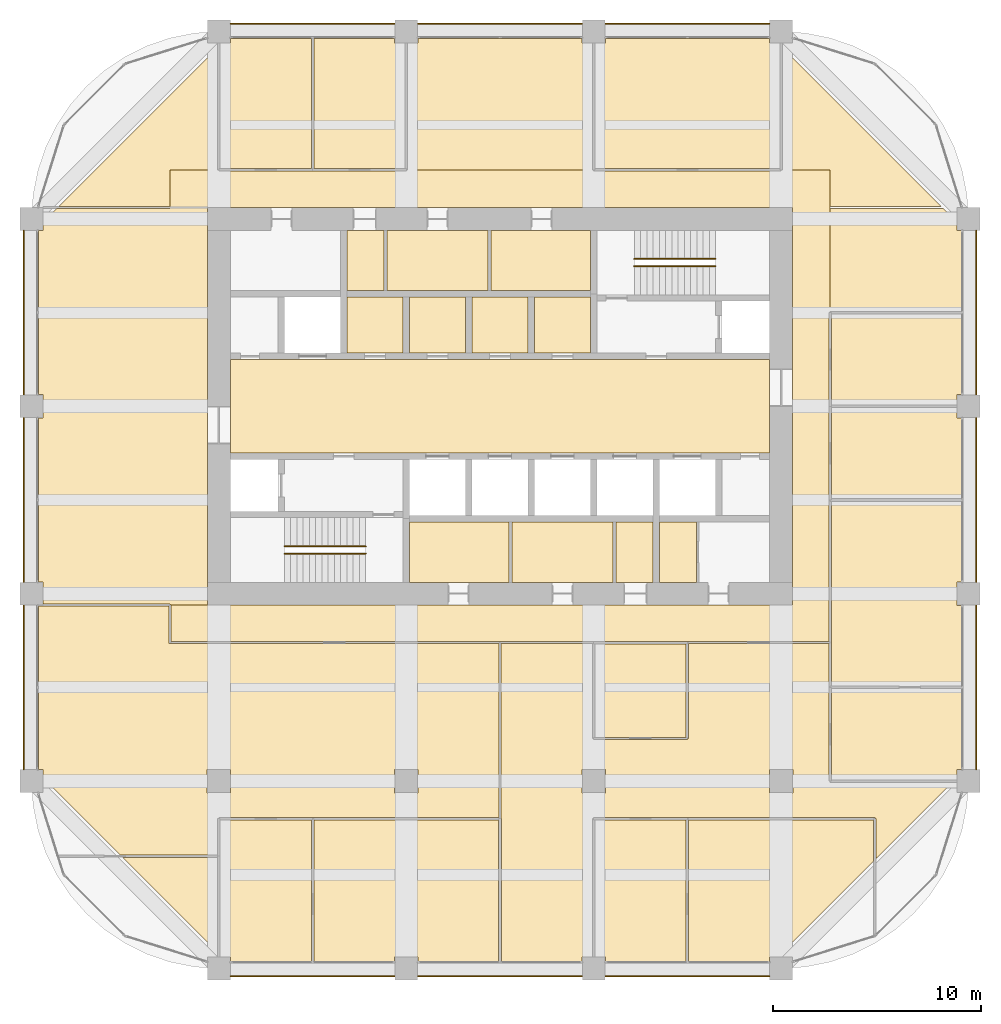
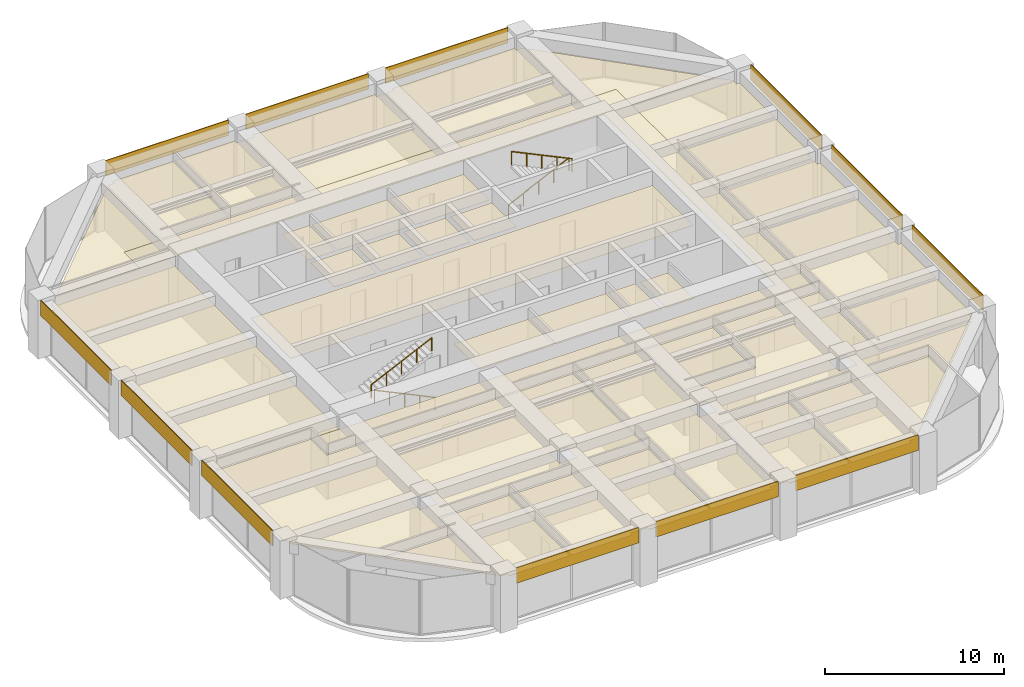
# One storey, part 44 of 44: 45 coverings, 4 railings.
"""IFC4 building model written with IfcOpenShell, lengths in metres."""

from ifc_helpers import new_model, si_unit, direction, frame, frame_2d, origin, origin_2d, place, context, subcontext, project, spatial, polyline, rectangle, circle, outline, extrude, material, layer, layer_set, type_object, element, save


model = new_model("IFC4")

# Units and contexts
model_context = context("Model", 3, precision=1e-05, world=origin(), true_north=direction((0.0, 1.0)))
body_context = subcontext(model_context, "Body", "Model", "MODEL_VIEW")
ifc_project = project(units=[si_unit("LENGTHUNIT", "METRE"), si_unit("AREAUNIT", "SQUARE_METRE"), si_unit("VOLUMEUNIT", "CUBIC_METRE"), si_unit("PLANEANGLEUNIT", "RADIAN"), si_unit("MASSUNIT", "GRAM", prefix="KILO")], contexts=[model_context])

# Site, building, storey
site_placement = place(None, origin())
site = spatial("IfcSite", under=ifc_project, at=site_placement, CompositionType="ELEMENT")
building_placement = place(site_placement, origin())
building = spatial("IfcBuilding", under=site, at=building_placement, Name="Zorevar Civic Tower", CompositionType="ELEMENT")
storey_placement = place(building_placement, frame((0.0, 0.0, 299.39990234375)))
storey = spatial("IfcBuildingStorey", under=building, at=storey_placement, Name="L73", CompositionType="ELEMENT", Elevation=299.39990234375)

# Railings
ifc_material_1 = material(Name="Black steel handrail", Category="steel")
railing_type = type_object("IfcRailingType", Name="Handrail HR1 900", PredefinedType="HANDRAIL", material=ifc_material_1)
railing_1_placement = place(storey_placement, frame((25.050048828125, 19.925048828125, 0.14306640625)))
element("IfcRailing", 1, at=railing_1_placement, inside=storey, type_object=railing_type, Name="Handrail HR1 ST1 L73", PredefinedType="HANDRAIL", context=body_context, shape_type="SweptSolid", body=[
    extrude(circle(Radius=0.02392578125, at=origin_2d()), frame((0.0, 0.0, 0.8759765625), z_axis=(-0.902885590262, 0.0, 0.429880926418), x_axis=(0.0, -1.0, 0.0)), (0.0, 0.0, 1.0), 4.319580078125),
    extrude(circle(Radius=0.02099609375, at=origin_2d()), origin(), (0.0, 0.0, 1.0), 0.851806640625),
    extrude(circle(Radius=0.02099609375, at=origin_2d()), frame((-0.97509765625, 0.0, 0.46435546875)), (0.0, 0.0, 1.0), 0.851806640625),
    extrude(circle(Radius=0.02099609375, at=origin_2d()), frame((-1.9501953125, 0.0, 0.928466796875)), (0.0, 0.0, 1.0), 0.851806640625),
    extrude(circle(Radius=0.02099609375, at=origin_2d()), frame((-2.925048828125, 0.0, 1.392578125)), (0.0, 0.0, 1.0), 0.851806640625),
    extrude(circle(Radius=0.02099609375, at=origin_2d()), frame((-3.900146484375, 0.0, 1.85693359375)), (0.0, 0.0, 1.0), 0.851806640625),
])
for number, where, name in (
    (2, (21.14990234375, 20.27490234375, 2.14306640625), "Handrail HR1 ST1 L73"),
    (3, (37.949951171875, 34.074951171875, 0.14306640625), "Handrail HR1 ST2 L73"),
):
    element("IfcRailing", number, at=place(storey_placement, frame(where)), inside=storey, type_object=railing_type, Name=name, PredefinedType="HANDRAIL", context=body_context, shape_type="SweptSolid", body=[
        extrude(circle(Radius=0.02392578125, at=origin_2d()), frame((0.0, 0.0, 0.8759765625), z_axis=(0.902885590262, 0.0, 0.429880926418), x_axis=(0.0, 1.0, 0.0)), (0.0, 0.0, 1.0), 4.319580078125),
        extrude(circle(Radius=0.02099609375, at=origin_2d()), origin(), (0.0, 0.0, 1.0), 0.851806640625),
        extrude(circle(Radius=0.02099609375, at=origin_2d()), frame((0.97509765625, 0.0, 0.46435546875)), (0.0, 0.0, 1.0), 0.851806640625),
        extrude(circle(Radius=0.02099609375, at=origin_2d()), frame((1.9501953125, 0.0, 0.928466796875)), (0.0, 0.0, 1.0), 0.851806640625),
        extrude(circle(Radius=0.02099609375, at=origin_2d()), frame((2.925048828125, 0.0, 1.392578125)), (0.0, 0.0, 1.0), 0.851806640625),
        extrude(circle(Radius=0.02099609375, at=origin_2d()), frame((3.900146484375, 0.0, 1.85693359375)), (0.0, 0.0, 1.0), 0.851806640625),
    ])
railing_2_placement = place(storey_placement, frame((41.85009765625, 33.72509765625, 2.14306640625)))
element("IfcRailing", 4, at=railing_2_placement, inside=storey, type_object=railing_type, Name="Handrail HR1 ST2 L73", PredefinedType="HANDRAIL", context=body_context, shape_type="SweptSolid", body=[
    extrude(circle(Radius=0.02392578125, at=origin_2d()), frame((0.0, 0.0, 0.8759765625), z_axis=(-0.902885590262, 0.0, 0.429880926418), x_axis=(0.0, -1.0, 0.0)), (0.0, 0.0, 1.0), 4.319580078125),
    extrude(circle(Radius=0.02099609375, at=origin_2d()), origin(), (0.0, 0.0, 1.0), 0.851806640625),
    extrude(circle(Radius=0.02099609375, at=origin_2d()), frame((-0.97509765625, 0.0, 0.46435546875)), (0.0, 0.0, 1.0), 0.851806640625),
    extrude(circle(Radius=0.02099609375, at=origin_2d()), frame((-1.9501953125, 0.0, 0.928466796875)), (0.0, 0.0, 1.0), 0.851806640625),
    extrude(circle(Radius=0.02099609375, at=origin_2d()), frame((-2.925048828125, 0.0, 1.392578125)), (0.0, 0.0, 1.0), 0.851806640625),
    extrude(circle(Radius=0.02099609375, at=origin_2d()), frame((-3.900146484375, 0.0, 1.85693359375)), (0.0, 0.0, 1.0), 0.851806640625),
])

# Coverings
ifc_material_2 = material(Name="Moisture-resistant gypsum board")
ifc_layer_1 = layer(ifc_material_2, 0.012451171875)
ifc_layer_set_1 = layer_set([ifc_layer_1], Name="Moisture-resistant ceiling SC3")
covering_type_1 = type_object("IfcCoveringType", Name="Moisture-resistant ceiling SC3", PredefinedType="CEILING", material=ifc_layer_set_1)
covering_1_placement = place(storey_placement, frame((0.0, 0.0, 3.0)))
element("IfcCovering", 5, at=covering_1_placement, inside=storey, type_object=covering_type_1, Name="Ceiling L73-05", PredefinedType="CEILING", context=body_context, shape_type="SweptSolid", body=[
    extrude(outline(polyline([(31.925048828125, 18.550048828125), (31.925048828125, 21.449951171875), (27.14990234375, 21.449951171875), (27.14990234375, 18.550048828125), (31.925048828125, 18.550048828125)])), origin(), (0.0, 0.0, 1.0), 0.0126953125),
])
covering_2_placement = place(storey_placement, frame((0.0, 0.0, 3.0)))
element("IfcCovering", 6, at=covering_2_placement, inside=storey, type_object=covering_type_1, Name="Ceiling L73-06", PredefinedType="CEILING", context=body_context, shape_type="SweptSolid", body=[
    extrude(outline(polyline([(36.925048828125, 18.550048828125), (36.925048828125, 21.449951171875), (32.074951171875, 21.449951171875), (32.074951171875, 18.550048828125), (36.925048828125, 18.550048828125)])), origin(), (0.0, 0.0, 1.0), 0.0126953125),
])
covering_3_placement = place(storey_placement, frame((0.0, 0.0, 3.0)))
element("IfcCovering", 7, at=covering_3_placement, inside=storey, type_object=covering_type_1, Name="Ceiling L73-07", PredefinedType="CEILING", context=body_context, shape_type="SweptSolid", body=[
    extrude(outline(polyline([(38.85009765625, 18.550048828125), (38.85009765625, 21.449951171875), (37.074951171875, 21.449951171875), (37.074951171875, 18.550048828125), (38.85009765625, 18.550048828125)])), origin(), (0.0, 0.0, 1.0), 0.0126953125),
])
covering_4_placement = place(storey_placement, frame((0.0, 0.0, 3.0)))
element("IfcCovering", 8, at=covering_4_placement, inside=storey, type_object=covering_type_1, Name="Ceiling L73-08", PredefinedType="CEILING", context=body_context, shape_type="SweptSolid", body=[
    extrude(outline(polyline([(35.85009765625, 32.550048828125), (35.85009765625, 35.449951171875), (31.074951171875, 35.449951171875), (31.074951171875, 32.550048828125), (35.85009765625, 32.550048828125)])), origin(), (0.0, 0.0, 1.0), 0.0126953125),
])
covering_5_placement = place(storey_placement, frame((0.0, 0.0, 3.0)))
element("IfcCovering", 9, at=covering_5_placement, inside=storey, type_object=covering_type_1, Name="Ceiling L73-09", PredefinedType="CEILING", context=body_context, shape_type="SweptSolid", body=[
    extrude(outline(polyline([(30.925048828125, 32.550048828125), (30.925048828125, 35.449951171875), (26.074951171875, 35.449951171875), (26.074951171875, 32.550048828125), (30.925048828125, 32.550048828125)])), origin(), (0.0, 0.0, 1.0), 0.0126953125),
])
covering_6_placement = place(storey_placement, frame((0.0, 0.0, 3.0)))
element("IfcCovering", 10, at=covering_6_placement, inside=storey, type_object=covering_type_1, Name="Ceiling L73-10", PredefinedType="CEILING", context=body_context, shape_type="SweptSolid", body=[
    extrude(outline(polyline([(25.925048828125, 32.550048828125), (25.925048828125, 35.449951171875), (24.14990234375, 35.449951171875), (24.14990234375, 32.550048828125), (25.925048828125, 32.550048828125)])), origin(), (0.0, 0.0, 1.0), 0.0126953125),
])
ifc_material_3 = material(Name="Black anodised aluminium spandrel panel", Category="aluminium")
ifc_layer_2 = layer(ifc_material_3, 0.050048828125)
ifc_layer_set_2 = layer_set([ifc_layer_2], Name="Spandrel cladding SP1")
covering_type_2 = type_object("IfcCoveringType", Name="Spandrel cladding SP1", PredefinedType="CLADDING", material=ifc_layer_set_2)
for number, where, z_axis, x_axis, name in (
    (11, (18.550048828125, -0.375, 2.9501953125), (0.0, 0.0, 1.0), (1.0, 0.0, 0.0), "Spandrel cladding L74"),
    (12, (27.550048828125, -0.375, 2.9501953125), (0.0, 0.0, 1.0), (1.0, 0.0, 0.0), "Spandrel cladding L74"),
    (13, (36.550048828125, -0.375, 2.9501953125), (0.0, 0.0, 1.0), (1.0, 0.0, 0.0), "Spandrel cladding L74"),
    (14, (18.550048828125, 45.375, 2.9501953125), (0.0, 0.0, 1.0), (1.0, 0.0, 0.0), "Spandrel cladding L74"),
    (15, (27.550048828125, 45.375, 2.9501953125), (0.0, 0.0, 1.0), (1.0, 0.0, 0.0), "Spandrel cladding L74"),
    (16, (36.550048828125, 45.375, 2.9501953125), (0.0, 0.0, 1.0), (1.0, 0.0, 0.0), "Spandrel cladding L74"),
    (17, (8.625, 9.550048828125, 2.9501953125), (0.0, 0.0, 1.0), (0.0, 1.0, 0.0), "Spandrel cladding L74"),
    (18, (8.625, 18.550048828125, 2.9501953125), (0.0, 0.0, 1.0), (0.0, 1.0, 0.0), "Spandrel cladding L74"),
    (19, (8.625, 27.550048828125, 2.9501953125), (0.0, 0.0, 1.0), (0.0, 1.0, 0.0), "Spandrel cladding L74"),
    (20, (54.375, 9.550048828125, 2.9501953125), (0.0, 0.0, 1.0), (0.0, 1.0, 0.0), "Spandrel cladding L74"),
    (21, (54.375, 18.550048828125, 2.9501953125), (0.0, 0.0, 1.0), (0.0, 1.0, 0.0), "Spandrel cladding L74"),
    (22, (54.375, 27.550048828125, 2.9501953125), (0.0, 0.0, 1.0), (0.0, 1.0, 0.0), "Spandrel cladding L74"),
):
    element("IfcCovering", number, at=place(storey_placement, frame(where, z_axis=z_axis, x_axis=x_axis)), inside=storey, type_object=covering_type_2, Name=name, PredefinedType="CLADDING", context=body_context, shape_type="SweptSolid", body=[
        extrude(rectangle(XDim=7.89990234375, YDim=0.050048828125, at=frame_2d((3.949951171875, 0.0))), origin(), (0.0, 0.0, 1.0), 1.0498046875),
    ])
ifc_material_4 = material(Name="Mineral fibre tiles on a concealed grid")
ifc_layer_3 = layer(ifc_material_4, 0.02001953125)
ifc_layer_set_3 = layer_set([ifc_layer_3], Name="Suspended ceiling SC1")
covering_type_3 = type_object("IfcCoveringType", Name="Suspended ceiling SC1", PredefinedType="CEILING", material=ifc_layer_set_3)
covering_7_placement = place(storey_placement, frame((0.0, 0.0, 3.0)))
element("IfcCovering", 23, at=covering_7_placement, inside=storey, type_object=covering_type_3, Name="Ceiling L73-11", PredefinedType="CEILING", context=body_context, shape_type="SweptSolid", body=[
    extrude(outline(polyline([(40.93994140625, 18.550048828125), (40.93994140625, 21.449951171875), (39.14990234375, 21.449951171875), (39.14990234375, 18.550048828125), (40.93994140625, 18.550048828125)])), origin(), (0.0, 0.0, 1.0), 0.02001953125),
])
covering_8_placement = place(storey_placement, frame((0.0, 0.0, 3.0)))
element("IfcCovering", 24, at=covering_8_placement, inside=storey, type_object=covering_type_3, Name="Ceiling L73-16", PredefinedType="CEILING", context=body_context, shape_type="SweptSolid", body=[
    extrude(outline(polyline([(44.449951171875, 24.75), (44.449951171875, 29.25), (18.550048828125, 29.25), (18.550048828125, 24.75), (44.449951171875, 24.75)])), origin(), (0.0, 0.0, 1.0), 0.02001953125),
])
covering_9_placement = place(storey_placement, frame((0.0, 0.0, 3.0)))
element("IfcCovering", 25, at=covering_9_placement, inside=storey, type_object=covering_type_3, Name="Ceiling L73-17", PredefinedType="CEILING", context=body_context, shape_type="SweptSolid", body=[
    extrude(outline(polyline([(35.85009765625, 29.550048828125), (35.85009765625, 32.25), (33.14990234375, 32.25), (33.14990234375, 29.550048828125), (35.85009765625, 29.550048828125)])), origin(), (0.0, 0.0, 1.0), 0.02001953125),
])
covering_10_placement = place(storey_placement, frame((0.0, 0.0, 3.0)))
element("IfcCovering", 26, at=covering_10_placement, inside=storey, type_object=covering_type_3, Name="Ceiling L73-18", PredefinedType="CEILING", context=body_context, shape_type="SweptSolid", body=[
    extrude(outline(polyline([(32.85009765625, 29.550048828125), (32.85009765625, 32.25), (30.14990234375, 32.25), (30.14990234375, 29.550048828125), (32.85009765625, 29.550048828125)])), origin(), (0.0, 0.0, 1.0), 0.02001953125),
])
covering_11_placement = place(storey_placement, frame((0.0, 0.0, 3.0)))
element("IfcCovering", 27, at=covering_11_placement, inside=storey, type_object=covering_type_3, Name="Ceiling L73-19", PredefinedType="CEILING", context=body_context, shape_type="SweptSolid", body=[
    extrude(outline(polyline([(29.85009765625, 29.550048828125), (29.85009765625, 32.25), (27.14990234375, 32.25), (27.14990234375, 29.550048828125), (29.85009765625, 29.550048828125)])), origin(), (0.0, 0.0, 1.0), 0.02001953125),
])
covering_12_placement = place(storey_placement, frame((0.0, 0.0, 3.0)))
element("IfcCovering", 28, at=covering_12_placement, inside=storey, type_object=covering_type_3, Name="Ceiling L73-20", PredefinedType="CEILING", context=body_context, shape_type="SweptSolid", body=[
    extrude(outline(polyline([(26.85009765625, 29.550048828125), (26.85009765625, 32.25), (24.14990234375, 32.25), (24.14990234375, 29.550048828125), (26.85009765625, 29.550048828125)])), origin(), (0.0, 0.0, 1.0), 0.02001953125),
])
covering_13_placement = place(storey_placement, frame((0.0, 0.0, 3.0)))
element("IfcCovering", 29, at=covering_13_placement, inside=storey, type_object=covering_type_3, Name="Ceiling L73-21", PredefinedType="CEILING", context=body_context, shape_type="SweptSolid", body=[
    extrude(outline(polyline([(22.43994140625, 7.139892578125), (22.43994140625, 0.35009765625), (18.56005859375, 0.35009765625), (18.56005859375, 0.56005859375), (18.147216796875, 0.56005859375), (18.06005859375, 0.647216796875), (18.06005859375, 7.139892578125), (22.43994140625, 7.139892578125)])), origin(), (0.0, 0.0, 1.0), 0.02001953125),
])
covering_14_placement = place(storey_placement, frame((0.0, 0.0, 3.0)))
element("IfcCovering", 30, at=covering_14_placement, inside=storey, type_object=covering_type_3, Name="Ceiling L73-22", PredefinedType="CEILING", context=body_context, shape_type="SweptSolid", body=[
    extrude(outline(polyline([(31.43994140625, 7.139892578125), (31.43994140625, 0.35009765625), (27.56005859375, 0.35009765625), (27.56005859375, 0.56005859375), (26.43994140625, 0.56005859375), (26.43994140625, 0.35009765625), (22.56005859375, 0.35009765625), (22.56005859375, 7.139892578125), (31.43994140625, 7.139892578125)])), origin(), (0.0, 0.0, 1.0), 0.02001953125),
])
covering_15_placement = place(storey_placement, frame((0.0, 0.0, 3.0)))
element("IfcCovering", 31, at=covering_15_placement, inside=storey, type_object=covering_type_3, Name="Ceiling L73-23", PredefinedType="CEILING", context=body_context, shape_type="SweptSolid", body=[
    extrude(outline(polyline([(40.43994140625, 7.139892578125), (40.43994140625, 0.35009765625), (36.56005859375, 0.35009765625), (36.56005859375, 0.56005859375), (36.06005859375, 0.56005859375), (36.06005859375, 7.139892578125), (40.43994140625, 7.139892578125)])), origin(), (0.0, 0.0, 1.0), 0.02001953125),
])
covering_16_placement = place(storey_placement, frame((0.0, 0.0, 3.0)))
element("IfcCovering", 32, at=covering_16_placement, inside=storey, type_object=covering_type_3, Name="Ceiling L73-24", PredefinedType="CEILING", context=body_context, shape_type="SweptSolid", body=[
    extrude(outline(polyline([(44.43994140625, 0.56005859375), (44.43994140625, 0.35009765625), (40.56005859375, 0.35009765625), (40.56005859375, 7.139892578125), (49.43994140625, 7.139892578125), (49.43994140625, 5.147216796875), (44.852783203125, 0.56005859375), (44.43994140625, 0.56005859375)])), origin(), (0.0, 0.0, 1.0), 0.02001953125),
])
covering_17_placement = place(storey_placement, frame((0.0, 0.0, 3.0)))
element("IfcCovering", 33, at=covering_17_placement, inside=storey, type_object=covering_type_3, Name="Ceiling L73-25", PredefinedType="CEILING", context=body_context, shape_type="SweptSolid", body=[
    extrude(outline(polyline([(53.64990234375, 13.43994140625), (53.64990234375, 9.56005859375), (53.43994140625, 9.56005859375), (53.43994140625, 9.147216796875), (53.352783203125, 9.06005859375), (47.409912109375, 9.06005859375), (47.409912109375, 13.43994140625), (53.64990234375, 13.43994140625)])), origin(), (0.0, 0.0, 1.0), 0.02001953125),
])
covering_18_placement = place(storey_placement, frame((0.0, 0.0, 3.0)))
element("IfcCovering", 34, at=covering_18_placement, inside=storey, type_object=covering_type_3, Name="Ceiling L73-26", PredefinedType="CEILING", context=body_context, shape_type="SweptSolid", body=[
    extrude(outline(polyline([(47.409912109375, 22.43994140625), (53.64990234375, 22.43994140625), (53.64990234375, 18.56005859375), (53.43994140625, 18.56005859375), (53.43994140625, 17.43994140625), (53.64990234375, 17.43994140625), (53.64990234375, 13.56005859375), (47.409912109375, 13.56005859375), (47.409912109375, 22.43994140625)])), origin(), (0.0, 0.0, 1.0), 0.02001953125),
])
covering_19_placement = place(storey_placement, frame((0.0, 0.0, 3.0)))
element("IfcCovering", 35, at=covering_19_placement, inside=storey, type_object=covering_type_3, Name="Ceiling L73-27", PredefinedType="CEILING", context=body_context, shape_type="SweptSolid", body=[
    extrude(outline(polyline([(47.409912109375, 26.93994140625), (53.43994140625, 26.93994140625), (53.43994140625, 26.43994140625), (53.64990234375, 26.43994140625), (53.64990234375, 22.56005859375), (47.409912109375, 22.56005859375), (47.409912109375, 26.93994140625)])), origin(), (0.0, 0.0, 1.0), 0.02001953125),
])
covering_20_placement = place(storey_placement, frame((0.0, 0.0, 3.0)))
element("IfcCovering", 36, at=covering_20_placement, inside=storey, type_object=covering_type_3, Name="Ceiling L73-28", PredefinedType="CEILING", context=body_context, shape_type="SweptSolid", body=[
    extrude(outline(polyline([(47.409912109375, 31.43994140625), (53.64990234375, 31.43994140625), (53.64990234375, 27.56005859375), (53.43994140625, 27.56005859375), (53.43994140625, 27.06005859375), (47.409912109375, 27.06005859375), (47.409912109375, 31.43994140625)])), origin(), (0.0, 0.0, 1.0), 0.02001953125),
])
covering_21_placement = place(storey_placement, frame((0.0, 0.0, 3.0)))
element("IfcCovering", 37, at=covering_21_placement, inside=storey, type_object=covering_type_3, Name="Ceiling L73-29", PredefinedType="CEILING", context=body_context, shape_type="SweptSolid", body=[
    extrude(outline(polyline([(36.06005859375, 11.10009765625), (36.06005859375, 15.590087890625), (40.43994140625, 15.590087890625), (40.43994140625, 11.10009765625), (36.06005859375, 11.10009765625)])), origin(), (0.0, 0.0, 1.0), 0.02001953125),
])
covering_22_placement = place(storey_placement, frame((0.0, 0.0, 3.0)))
element("IfcCovering", 38, at=covering_22_placement, inside=storey, type_object=covering_type_3, Name="Ceiling L73-30", PredefinedType="CEILING", context=body_context, shape_type="SweptSolid", body=[
    extrude(outline(polyline([(18.06005859375, 44.352783203125), (18.147216796875, 44.43994140625), (18.56005859375, 44.43994140625), (18.56005859375, 44.64990234375), (22.43994140625, 44.64990234375), (22.43994140625, 38.409912109375), (18.06005859375, 38.409912109375), (18.06005859375, 44.352783203125)])), origin(), (0.0, 0.0, 1.0), 0.02001953125),
])
covering_23_placement = place(storey_placement, frame((0.0, 0.0, 3.0)))
element("IfcCovering", 39, at=covering_23_placement, inside=storey, type_object=covering_type_3, Name="Ceiling L73-31", PredefinedType="CEILING", context=body_context, shape_type="SweptSolid", body=[
    extrude(outline(polyline([(22.56005859375, 38.409912109375), (22.56005859375, 44.64990234375), (26.43994140625, 44.64990234375), (26.43994140625, 44.43994140625), (26.93994140625, 44.43994140625), (26.93994140625, 38.409912109375), (22.56005859375, 38.409912109375)])), origin(), (0.0, 0.0, 1.0), 0.02001953125),
])
covering_24_placement = place(storey_placement, frame((0.0, 0.0, 3.0)))
element("IfcCovering", 40, at=covering_24_placement, inside=storey, type_object=covering_type_3, Name="Ceiling L73-32", PredefinedType="CEILING", context=body_context, shape_type="SweptSolid", body=[
    extrude(outline(polyline([(36.56005859375, 44.64990234375), (44.43994140625, 44.64990234375), (44.43994140625, 44.43994140625), (44.852783203125, 44.43994140625), (44.93994140625, 44.352783203125), (44.93994140625, 38.409912109375), (36.06005859375, 38.409912109375), (36.06005859375, 44.43994140625), (36.56005859375, 44.43994140625), (36.56005859375, 44.64990234375)])), origin(), (0.0, 0.0, 1.0), 0.02001953125),
])
covering_25_placement = place(storey_placement, frame((0.0, 0.0, 3.0)))
element("IfcCovering", 41, at=covering_25_placement, inside=storey, type_object=covering_type_3, Name="Ceiling L73-33", PredefinedType="CEILING", context=body_context, shape_type="SweptSolid", body=[
    extrude(outline(polyline([(17.93994140625, 5.340087890625), (17.93994140625, 0.76708984375), (13.3671875, 5.340087890625), (17.93994140625, 5.340087890625)])), origin(), (0.0, 0.0, 1.0), 0.02001953125),
])
covering_26_placement = place(storey_placement, frame((0.0, 0.0, 3.0)))
element("IfcCovering", 42, at=covering_26_placement, inside=storey, type_object=covering_type_3, Name="Ceiling L73-34", PredefinedType="CEILING", context=body_context, shape_type="SweptSolid", body=[
    extrude(outline(polyline([(15.64990234375, 36.550048828125), (15.64990234375, 38.35009765625), (18.0, 38.35009765625), (18.0, 38.2900390625), (27.0, 38.2900390625), (27.0, 38.35009765625), (36.0, 38.35009765625), (36.0, 38.2900390625), (45.0, 38.2900390625), (45.0, 38.35009765625), (47.35009765625, 38.35009765625), (47.35009765625, 31.5), (47.2900390625, 31.5), (47.2900390625, 15.699951171875), (40.510009765625, 15.699951171875), (40.510009765625, 15.64990234375), (40.5, 15.64990234375), (40.5, 15.7099609375), (36.0, 15.7099609375), (36.0, 15.64990234375), (35.989990234375, 15.64990234375), (35.989990234375, 15.699951171875), (15.699951171875, 15.699951171875), (15.699951171875, 17.449951171875), (45.550048828125, 17.449951171875), (45.550048828125, 36.550048828125), (15.64990234375, 36.550048828125)])), origin(), (0.0, 0.0, 1.0), 0.02001953125),
])
covering_27_placement = place(storey_placement, frame((0.0, 0.0, 3.0)))
element("IfcCovering", 43, at=covering_27_placement, inside=storey, type_object=covering_type_3, Name="Ceiling L73-35", PredefinedType="CEILING", context=body_context, shape_type="SweptSolid", body=[
    extrude(outline(polyline([(47.35009765625, 36.5), (52.79296875, 36.5), (53.43994140625, 35.852783203125), (53.43994140625, 35.43994140625), (53.64990234375, 35.43994140625), (53.64990234375, 31.56005859375), (47.35009765625, 31.56005859375), (47.35009765625, 36.5)])), origin(), (0.0, 0.0, 1.0), 0.02001953125),
])
covering_28_placement = place(storey_placement, frame((0.0, 0.0, 3.0)))
element("IfcCovering", 44, at=covering_28_placement, inside=storey, type_object=covering_type_3, Name="Ceiling L73-36", PredefinedType="CEILING", context=body_context, shape_type="SweptSolid", body=[
    extrude(outline(polyline([(35.93994140625, 38.35009765625), (27.06005859375, 38.35009765625), (27.06005859375, 44.43994140625), (27.56005859375, 44.43994140625), (27.56005859375, 44.64990234375), (35.43994140625, 44.64990234375), (35.43994140625, 44.43994140625), (35.93994140625, 44.43994140625), (35.93994140625, 38.35009765625)])), origin(), (0.0, 0.0, 1.0), 0.02001953125),
])
covering_29_placement = place(storey_placement, frame((0.0, 0.0, 3.0)))
element("IfcCovering", 45, at=covering_29_placement, inside=storey, type_object=covering_type_3, Name="Ceiling L73-37", PredefinedType="CEILING", context=body_context, shape_type="SweptSolid", body=[
    extrude(outline(polyline([(47.35009765625, 36.60009765625), (47.35009765625, 38.35009765625), (45.06005859375, 38.35009765625), (45.06005859375, 44.23291015625), (52.69287109375, 36.60009765625), (47.35009765625, 36.60009765625)])), origin(), (0.0, 0.0, 1.0), 0.02001953125),
])
covering_30_placement = place(storey_placement, frame((0.0, 0.0, 3.0)))
element("IfcCovering", 46, at=covering_30_placement, inside=storey, type_object=covering_type_3, Name="Ceiling L73-38", PredefinedType="CEILING", context=body_context, shape_type="SweptSolid", body=[
    extrude(outline(polyline([(17.93994140625, 38.35009765625), (15.64990234375, 38.35009765625), (15.64990234375, 36.60009765625), (10.30712890625, 36.60009765625), (17.93994140625, 44.23291015625), (17.93994140625, 38.35009765625)])), origin(), (0.0, 0.0, 1.0), 0.02001953125),
])
covering_31_placement = place(storey_placement, frame((0.0, 0.0, 3.0)))
element("IfcCovering", 47, at=covering_31_placement, inside=storey, type_object=covering_type_3, Name="Ceiling L73-39", PredefinedType="CEILING", context=body_context, shape_type="SweptSolid", body=[
    extrude(outline(polyline([(31.449951171875, 15.60009765625), (31.449951171875, 7.260009765625), (18.0, 7.260009765625), (18.0, 7.199951171875), (17.93994140625, 7.199951171875), (17.93994140625, 5.4599609375), (13.2470703125, 5.4599609375), (9.56005859375, 9.147216796875), (9.56005859375, 9.56005859375), (9.35009765625, 9.56005859375), (9.35009765625, 17.39990234375), (15.60009765625, 17.39990234375), (15.60009765625, 15.60009765625), (31.449951171875, 15.60009765625)]), holes=[polyline([(17.43994140625, 8.43994140625), (18.56005859375, 8.43994140625), (18.56005859375, 9.56005859375), (17.43994140625, 9.56005859375), (17.43994140625, 8.43994140625)]), polyline([(26.43994140625, 9.56005859375), (26.43994140625, 8.43994140625), (27.56005859375, 8.43994140625), (27.56005859375, 9.56005859375), (26.43994140625, 9.56005859375)])]), origin(), (0.0, 0.0, 1.0), 0.02001953125),
])
covering_32_placement = place(storey_placement, frame((0.0, 0.0, 3.0)))
element("IfcCovering", 48, at=covering_32_placement, inside=storey, type_object=covering_type_3, Name="Ceiling L73-40", PredefinedType="CEILING", context=body_context, shape_type="SweptSolid", body=[
    extrude(outline(polyline([(40.56005859375, 11.050048828125), (40.56005859375, 15.60009765625), (47.2900390625, 15.60009765625), (47.2900390625, 9.0), (47.35009765625, 9.0), (47.35009765625, 8.93994140625), (53.23291015625, 8.93994140625), (49.56005859375, 5.26708984375), (49.56005859375, 7.199951171875), (49.5, 7.199951171875), (49.5, 7.260009765625), (36.0, 7.260009765625), (36.0, 7.199951171875), (35.93994140625, 7.199951171875), (35.93994140625, 0.56005859375), (35.43994140625, 0.56005859375), (35.43994140625, 0.35009765625), (31.56005859375, 0.35009765625), (31.56005859375, 7.199951171875), (31.550048828125, 7.199951171875), (31.550048828125, 15.60009765625), (35.93994140625, 15.60009765625), (35.93994140625, 11.050048828125), (36.0, 11.050048828125), (36.0, 11.0), (40.5, 11.0), (40.5, 11.050048828125), (40.56005859375, 11.050048828125)]), holes=[polyline([(36.56005859375, 8.43994140625), (36.56005859375, 9.56005859375), (35.43994140625, 9.56005859375), (35.43994140625, 8.43994140625), (36.56005859375, 8.43994140625)]), polyline([(44.43994140625, 8.43994140625), (45.56005859375, 8.43994140625), (45.56005859375, 9.56005859375), (44.43994140625, 9.56005859375), (44.43994140625, 8.43994140625)])]), origin(), (0.0, 0.0, 1.0), 0.02001953125),
])
covering_33_placement = place(storey_placement, frame((0.0, 0.0, 3.0)))
element("IfcCovering", 49, at=covering_33_placement, inside=storey, type_object=covering_type_3, Name="Ceiling L73-41", PredefinedType="CEILING", context=body_context, shape_type="SweptSolid", body=[
    extrude(outline(polyline([(9.56005859375, 17.5), (9.56005859375, 18.56005859375), (9.35009765625, 18.56005859375), (9.35009765625, 26.43994140625), (9.56005859375, 26.43994140625), (9.56005859375, 27.56005859375), (9.35009765625, 27.56005859375), (9.35009765625, 35.43994140625), (9.56005859375, 35.43994140625), (9.56005859375, 35.852783203125), (10.20703125, 36.5), (15.64990234375, 36.5), (15.64990234375, 36.550048828125), (17.449951171875, 36.550048828125), (17.449951171875, 17.449951171875), (15.64990234375, 17.449951171875), (15.64990234375, 17.5), (9.56005859375, 17.5)])), origin(), (0.0, 0.0, 1.0), 0.02001953125),
])

save(model, "model.ifc")
